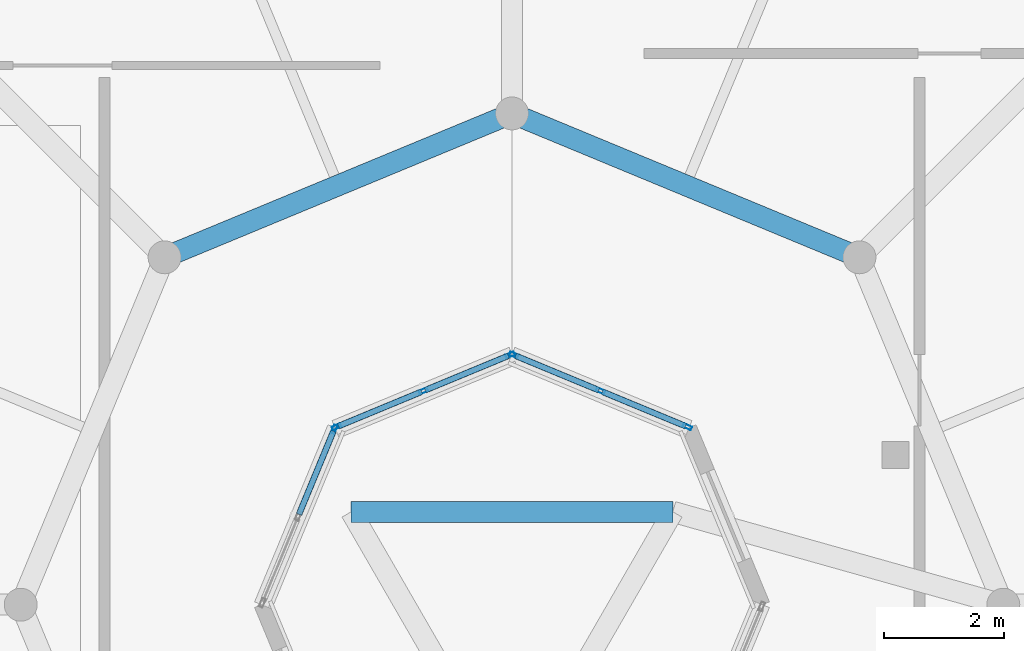
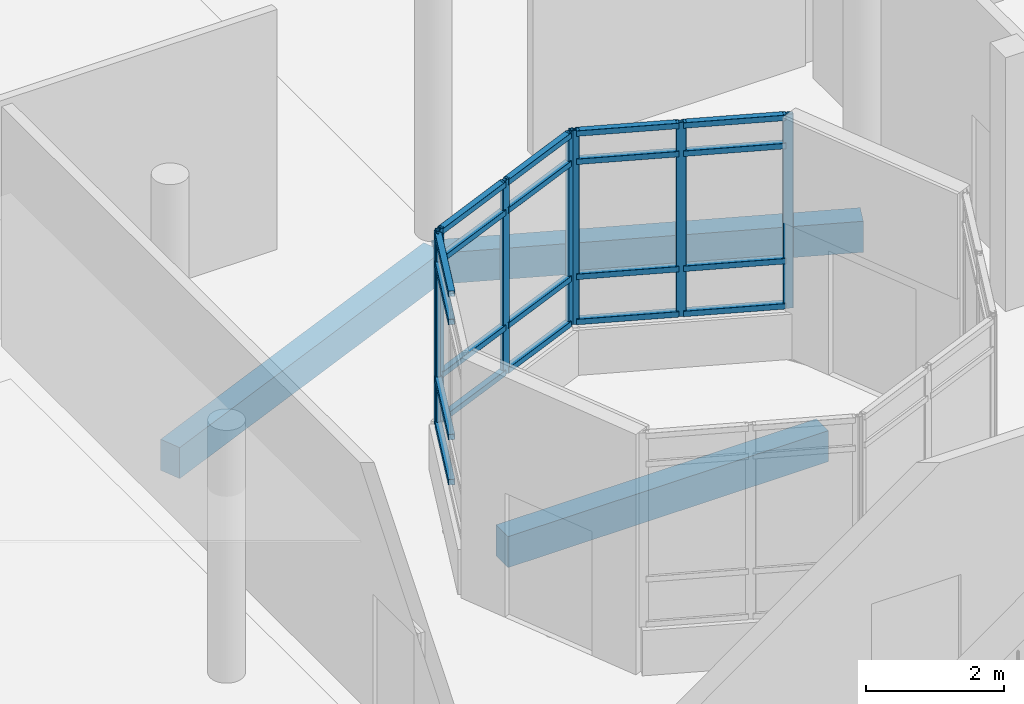
# One storey, part 71 of 129: 27 members, 3 beams, 3 elements without a shape of their own.
"""IFC4 building model written with IfcOpenShell, lengths in metres."""

from ifc_helpers import new_model, si_unit, direction, frame, origin, origin_2d, place, context, subcontext, project, spatial, rectangle, hollow_rectangle, extrude, material, layer, layer_set, material_profile, profile_set, type_object, element, aggregate, save


model = new_model("IFC4")

# Units and contexts
model_context = context("Model", 3, precision=1e-05, world=origin(), true_north=direction((0.0, 1.0)))
body_context = subcontext(model_context, "Body", "Model", "MODEL_VIEW")
ifc_project = project(units=[si_unit("LENGTHUNIT", "METRE"), si_unit("AREAUNIT", "SQUARE_METRE"), si_unit("VOLUMEUNIT", "CUBIC_METRE"), si_unit("PLANEANGLEUNIT", "RADIAN"), si_unit("MASSUNIT", "GRAM", prefix="KILO")], contexts=[model_context])

# Site, building, storey
site_placement = place(None, origin())
site = spatial("IfcSite", under=ifc_project, at=site_placement, CompositionType="ELEMENT")
building_placement = place(site_placement, origin())
building = spatial("IfcBuilding", under=site, at=building_placement, Name="Vespera Passage Community Centre", CompositionType="ELEMENT")
storey_placement = place(building_placement, origin())
storey = spatial("IfcBuildingStorey", under=building, at=storey_placement, Name="L00", CompositionType="ELEMENT", Elevation=0.0)

# Beams
ifc_material_1 = material(Name="Concrete f'c 35 MPa", Category="concrete")
ifc_material_profile_1 = material_profile(ifc_material_1, rectangle(XDim=0.35009765625, YDim=0.550048828125, at=origin_2d()), Name="RC350X550")
ifc_profile_set_1 = profile_set([ifc_material_profile_1], Name="Concrete f'c 35 MPa")
beam_type = type_object("IfcBeamType", Name="BM-J-350X550", PredefinedType="JOIST", material=ifc_profile_set_1)
for number, where, z_axis, x_axis, name in (
    (1, (146.79833984375, 30.79833984375, -0.554931640625), (-0.92388740073, 0.382664436252, 0.0), (-0.382664436252, -0.92388740073, 0.0), "V3 L00 Inner Ring Beam 2"),
    (2, (141.0, 33.199951171875, -0.554931640625), (-0.92388740073, -0.382664436252, 0.0), (0.382664436252, -0.92388740073, 0.0), "V3 L00 Inner Ring Beam 3"),
):
    element("IfcBeam", number, at=place(storey_placement, frame(where, z_axis=z_axis, x_axis=x_axis)), inside=storey, type_object=beam_type, Name=name, PredefinedType="JOIST", context=body_context, shape_type="SweptSolid", body=[
        extrude(rectangle(XDim=0.35009765625, YDim=0.550048828125, at=origin_2d()), origin(), (0.0, 0.0, 1.0), 6.276123046875),
    ])
beam_placement = place(storey_placement, frame((143.684814453125, 26.550048828125, -0.614990234375), z_axis=(-1.0, 0.0, 0.0), x_axis=(0.0, -1.0, 0.0)))
element("IfcBeam", 3, at=beam_placement, inside=storey, type_object=beam_type, Name="V3 Courtyard Paving Ring Beam 1", PredefinedType="JOIST", context=body_context, shape_type="SweptSolid", body=[
    extrude(rectangle(XDim=0.35009765625, YDim=0.550048828125, at=origin_2d()), origin(), (0.0, 0.0, 1.0), 5.36962890625),
])

# Curtain wall, members
ifc_material_2 = material(Name="Anodized aluminium 6063-T6", Category="aluminium")
ifc_layer = layer(ifc_material_2, 0.159912109375)
ifc_layer_set = layer_set([ifc_layer], Name="Anodized aluminium 6063-T6")
curtain_wall_type = type_object("IfcCurtainWallType", Name="CW-104E", PredefinedType="NOTDEFINED", material=ifc_layer_set)
curtain_wall_1_placement = place(storey_placement, origin())
curtain_wall_1 = element("IfcCurtainWall", 4, at=curtain_wall_1_placement, inside=storey, type_object=curtain_wall_type, Name="V3 L00 Inner Court Ribbon Curtain Wall 2", PredefinedType="NOTDEFINED")
ifc_material_3 = material(Name="Anodized aluminium 6063-T6", Category="aluminium")
ifc_material_profile_2 = material_profile(ifc_material_3, hollow_rectangle(XDim=0.06494140625, YDim=0.14990234375, WallThickness=0.00390625, InnerFilletRadius=0.001953125, OuterFilletRadius=0.00390625, at=origin_2d()), Name="ALU150X65X4")
ifc_profile_set_2 = profile_set([ifc_material_profile_2], Name="Anodized aluminium 6063-T6")
member_type_1 = type_object("IfcMemberType", Name="MB-CWM-150E", PredefinedType="MULLION", material=ifc_profile_set_2)
member_1_placement = place(storey_placement, frame((143.92578125, 27.968017578125, 0.800048828125), z_axis=(0.0, 0.0, 1.0), x_axis=(-0.382685826549, -0.923878540804, 0.0)))
member_1 = element("IfcMember", 5, at=member_1_placement, type_object=member_type_1, Name="CW-104E mullion 1", PredefinedType="MULLION", context=body_context, shape_type="SweptSolid", body=[
    extrude(hollow_rectangle(XDim=0.06494140625, YDim=0.14990234375, WallThickness=0.00390625, InnerFilletRadius=0.001953125, OuterFilletRadius=0.00390625, at=origin_2d()), origin(), (0.0, 0.0, 1.0), 3.43994140625),
])
member_2_placement = place(storey_placement, frame((142.477783203125, 28.56787109375, 0.800048828125), z_axis=(0.0, 0.0, 1.0), x_axis=(-0.382685826549, -0.923878540804, 0.0)))
member_2 = element("IfcMember", 6, at=member_2_placement, type_object=member_type_1, Name="CW-104E mullion 2", PredefinedType="MULLION", context=body_context, shape_type="SweptSolid", body=[
    extrude(hollow_rectangle(XDim=0.06494140625, YDim=0.14990234375, WallThickness=0.00390625, InnerFilletRadius=0.001953125, OuterFilletRadius=0.00390625, at=origin_2d()), origin(), (0.0, 0.0, 1.0), 3.43994140625),
])
member_3_placement = place(storey_placement, frame((141.030029296875, 29.16748046875, 0.800048828125), z_axis=(0.0, 0.0, 1.0), x_axis=(-0.382685826549, -0.923878540804, 0.0)))
member_3 = element("IfcMember", 7, at=member_3_placement, type_object=member_type_1, Name="CW-104E mullion 3", PredefinedType="MULLION", context=body_context, shape_type="SweptSolid", body=[
    extrude(hollow_rectangle(XDim=0.06494140625, YDim=0.14990234375, WallThickness=0.00390625, InnerFilletRadius=0.001953125, OuterFilletRadius=0.00390625, at=origin_2d()), origin(), (0.0, 0.0, 1.0), 3.43994140625),
])

curtain_wall_2_placement = place(storey_placement, origin())
curtain_wall_2 = element("IfcCurtainWall", 8, at=curtain_wall_2_placement, inside=storey, type_object=curtain_wall_type, Name="V3 L00 Inner Court Ribbon Curtain Wall 3", PredefinedType="NOTDEFINED")
member_4_placement = place(storey_placement, frame((140.969970703125, 29.16748046875, 0.800048828125), z_axis=(0.0, 0.0, 1.0), x_axis=(0.382685826549, -0.923878540804, 0.0)))
member_4 = element("IfcMember", 9, at=member_4_placement, type_object=member_type_1, Name="CW-104E mullion 1", PredefinedType="MULLION", context=body_context, shape_type="SweptSolid", body=[
    extrude(hollow_rectangle(XDim=0.06494140625, YDim=0.14990234375, WallThickness=0.00390625, InnerFilletRadius=0.001953125, OuterFilletRadius=0.00390625, at=origin_2d()), origin(), (0.0, 0.0, 1.0), 3.43994140625),
])
member_5_placement = place(storey_placement, frame((139.522216796875, 28.56787109375, 0.800048828125), z_axis=(0.0, 0.0, 1.0), x_axis=(0.382685826549, -0.923878540804, 0.0)))
member_5 = element("IfcMember", 10, at=member_5_placement, type_object=member_type_1, Name="CW-104E mullion 2", PredefinedType="MULLION", context=body_context, shape_type="SweptSolid", body=[
    extrude(hollow_rectangle(XDim=0.06494140625, YDim=0.14990234375, WallThickness=0.00390625, InnerFilletRadius=0.001953125, OuterFilletRadius=0.00390625, at=origin_2d()), origin(), (0.0, 0.0, 1.0), 3.43994140625),
])
member_6_placement = place(storey_placement, frame((138.07421875, 27.968017578125, 0.800048828125), z_axis=(0.0, 0.0, 1.0), x_axis=(0.382685826549, -0.923878540804, 0.0)))
member_6 = element("IfcMember", 11, at=member_6_placement, type_object=member_type_1, Name="CW-104E mullion 3", PredefinedType="MULLION", context=body_context, shape_type="SweptSolid", body=[
    extrude(hollow_rectangle(XDim=0.06494140625, YDim=0.14990234375, WallThickness=0.00390625, InnerFilletRadius=0.001953125, OuterFilletRadius=0.00390625, at=origin_2d()), origin(), (0.0, 0.0, 1.0), 3.43994140625),
])

# Curtain wall, member
curtain_wall_3_placement = place(storey_placement, origin())
curtain_wall_3 = element("IfcCurtainWall", 12, at=curtain_wall_3_placement, inside=storey, type_object=curtain_wall_type, Name="V3 L00 Inner Court Ribbon Curtain Wall 4", PredefinedType="NOTDEFINED")
member_7_placement = place(storey_placement, frame((138.031982421875, 27.92578125, 0.800048828125), z_axis=(0.0, 0.0, 1.0), x_axis=(0.923878540804, -0.382685826549, 0.0)))
member_7 = element("IfcMember", 13, at=member_7_placement, type_object=member_type_1, Name="CW-104E mullion 1", PredefinedType="MULLION", context=body_context, shape_type="SweptSolid", body=[
    extrude(hollow_rectangle(XDim=0.06494140625, YDim=0.14990234375, WallThickness=0.00390625, InnerFilletRadius=0.001953125, OuterFilletRadius=0.00390625, at=origin_2d()), origin(), (0.0, 0.0, 1.0), 3.43994140625),
])

# Member
ifc_material_4 = material(Name="Anodized aluminium 6063-T6", Category="aluminium")
ifc_material_profile_3 = material_profile(ifc_material_4, hollow_rectangle(XDim=0.10009765625, YDim=0.10009765625, WallThickness=0.00390625, InnerFilletRadius=0.001953125, OuterFilletRadius=0.00390625, at=origin_2d()), Name="ALU100X100X4")
ifc_profile_set_3 = profile_set([ifc_material_profile_3], Name="Anodized aluminium 6063-T6")
member_type_2 = type_object("IfcMemberType", Name="MB-CWT-100E", PredefinedType="USERDEFINED", material=ifc_profile_set_3)
member_8_placement = place(storey_placement, frame((143.895751953125, 27.98046875, 0.85009765625), z_axis=(-0.923868276622, 0.382710605355, 0.0), x_axis=(-0.382710605355, -0.923868276622, 0.0)))
member_8 = element("IfcMember", 14, at=member_8_placement, type_object=member_type_2, Name="CW-104E transom 1.1", ObjectType="TRANSOM", PredefinedType="USERDEFINED", context=body_context, shape_type="SweptSolid", body=[
    extrude(hollow_rectangle(XDim=0.10009765625, YDim=0.10009765625, WallThickness=0.00390625, InnerFilletRadius=0.001953125, OuterFilletRadius=0.00390625, at=origin_2d()), origin(), (0.0, 0.0, 1.0), 1.502197265625),
])

member_9_placement = place(storey_placement, frame((143.895751953125, 27.98046875, 1.64990234375), z_axis=(-0.923868276622, 0.382710605355, 0.0), x_axis=(-0.382710605355, -0.923868276622, 0.0)))
member_9 = element("IfcMember", 15, at=member_9_placement, type_object=member_type_2, Name="CW-104E transom 1.2", ObjectType="TRANSOM", PredefinedType="USERDEFINED", context=body_context, shape_type="SweptSolid", body=[
    extrude(hollow_rectangle(XDim=0.10009765625, YDim=0.10009765625, WallThickness=0.00390625, InnerFilletRadius=0.001953125, OuterFilletRadius=0.00390625, at=origin_2d()), origin(), (0.0, 0.0, 1.0), 1.502197265625),
])

member_10_placement = place(storey_placement, frame((143.895751953125, 27.98046875, 3.68994140625), z_axis=(-0.923868276622, 0.382710605355, 0.0), x_axis=(-0.382710605355, -0.923868276622, 0.0)))
member_10 = element("IfcMember", 16, at=member_10_placement, type_object=member_type_2, Name="CW-104E transom 1.3", ObjectType="TRANSOM", PredefinedType="USERDEFINED", context=body_context, shape_type="SweptSolid", body=[
    extrude(hollow_rectangle(XDim=0.10009765625, YDim=0.10009765625, WallThickness=0.00390625, InnerFilletRadius=0.001953125, OuterFilletRadius=0.00390625, at=origin_2d()), origin(), (0.0, 0.0, 1.0), 1.502197265625),
])

member_11_placement = place(storey_placement, frame((143.895751953125, 27.98046875, 4.18994140625), z_axis=(-0.923868276622, 0.382710605355, 0.0), x_axis=(-0.382710605355, -0.923868276622, 0.0)))
member_11 = element("IfcMember", 17, at=member_11_placement, type_object=member_type_2, Name="CW-104E transom 1.4", ObjectType="TRANSOM", PredefinedType="USERDEFINED", context=body_context, shape_type="SweptSolid", body=[
    extrude(hollow_rectangle(XDim=0.10009765625, YDim=0.10009765625, WallThickness=0.00390625, InnerFilletRadius=0.001953125, OuterFilletRadius=0.00390625, at=origin_2d()), origin(), (0.0, 0.0, 1.0), 1.502197265625),
])

member_12_placement = place(storey_placement, frame((142.44775390625, 28.580322265625, 0.85009765625), z_axis=(-0.923901937079, 0.382629338474, 0.0), x_axis=(-0.382629338474, -0.923901937079, 0.0)))
member_12 = element("IfcMember", 18, at=member_12_placement, type_object=member_type_2, Name="CW-104E transom 2.1", ObjectType="TRANSOM", PredefinedType="USERDEFINED", context=body_context, shape_type="SweptSolid", body=[
    extrude(hollow_rectangle(XDim=0.10009765625, YDim=0.10009765625, WallThickness=0.00390625, InnerFilletRadius=0.001953125, OuterFilletRadius=0.00390625, at=origin_2d()), origin(), (0.0, 0.0, 1.0), 1.501953125),
])

member_13_placement = place(storey_placement, frame((142.44775390625, 28.580322265625, 1.64990234375), z_axis=(-0.923901937079, 0.382629338474, 0.0), x_axis=(-0.382629338474, -0.923901937079, 0.0)))
member_13 = element("IfcMember", 19, at=member_13_placement, type_object=member_type_2, Name="CW-104E transom 2.2", ObjectType="TRANSOM", PredefinedType="USERDEFINED", context=body_context, shape_type="SweptSolid", body=[
    extrude(hollow_rectangle(XDim=0.10009765625, YDim=0.10009765625, WallThickness=0.00390625, InnerFilletRadius=0.001953125, OuterFilletRadius=0.00390625, at=origin_2d()), origin(), (0.0, 0.0, 1.0), 1.501953125),
])

member_14_placement = place(storey_placement, frame((142.44775390625, 28.580322265625, 3.68994140625), z_axis=(-0.923901937079, 0.382629338474, 0.0), x_axis=(-0.382629338474, -0.923901937079, 0.0)))
member_14 = element("IfcMember", 20, at=member_14_placement, type_object=member_type_2, Name="CW-104E transom 2.3", ObjectType="TRANSOM", PredefinedType="USERDEFINED", context=body_context, shape_type="SweptSolid", body=[
    extrude(hollow_rectangle(XDim=0.10009765625, YDim=0.10009765625, WallThickness=0.00390625, InnerFilletRadius=0.001953125, OuterFilletRadius=0.00390625, at=origin_2d()), origin(), (0.0, 0.0, 1.0), 1.501953125),
])

member_15_placement = place(storey_placement, frame((142.44775390625, 28.580322265625, 4.18994140625), z_axis=(-0.923901937079, 0.382629338474, 0.0), x_axis=(-0.382629338474, -0.923901937079, 0.0)))
member_15 = element("IfcMember", 21, at=member_15_placement, type_object=member_type_2, Name="CW-104E transom 2.4", ObjectType="TRANSOM", PredefinedType="USERDEFINED", context=body_context, shape_type="SweptSolid", body=[
    extrude(hollow_rectangle(XDim=0.10009765625, YDim=0.10009765625, WallThickness=0.00390625, InnerFilletRadius=0.001953125, OuterFilletRadius=0.00390625, at=origin_2d()), origin(), (0.0, 0.0, 1.0), 1.501953125),
])

aggregate(curtain_wall_1, [member_1, member_2, member_3, member_8, member_9, member_10, member_11, member_12, member_13, member_14, member_15])

member_16_placement = place(storey_placement, frame((140.93994140625, 29.155029296875, 0.85009765625), z_axis=(-0.923901937079, -0.382629338474, 0.0), x_axis=(0.382629338474, -0.923901937079, 0.0)))
member_16 = element("IfcMember", 22, at=member_16_placement, type_object=member_type_2, Name="CW-104E transom 1.1", ObjectType="TRANSOM", PredefinedType="USERDEFINED", context=body_context, shape_type="SweptSolid", body=[
    extrude(hollow_rectangle(XDim=0.10009765625, YDim=0.10009765625, WallThickness=0.00390625, InnerFilletRadius=0.001953125, OuterFilletRadius=0.00390625, at=origin_2d()), origin(), (0.0, 0.0, 1.0), 1.501953125),
])

member_17_placement = place(storey_placement, frame((140.93994140625, 29.155029296875, 1.64990234375), z_axis=(-0.923901937079, -0.382629338474, 0.0), x_axis=(0.382629338474, -0.923901937079, 0.0)))
member_17 = element("IfcMember", 23, at=member_17_placement, type_object=member_type_2, Name="CW-104E transom 1.2", ObjectType="TRANSOM", PredefinedType="USERDEFINED", context=body_context, shape_type="SweptSolid", body=[
    extrude(hollow_rectangle(XDim=0.10009765625, YDim=0.10009765625, WallThickness=0.00390625, InnerFilletRadius=0.001953125, OuterFilletRadius=0.00390625, at=origin_2d()), origin(), (0.0, 0.0, 1.0), 1.501953125),
])

member_18_placement = place(storey_placement, frame((140.93994140625, 29.155029296875, 3.68994140625), z_axis=(-0.923901937079, -0.382629338474, 0.0), x_axis=(0.382629338474, -0.923901937079, 0.0)))
member_18 = element("IfcMember", 24, at=member_18_placement, type_object=member_type_2, Name="CW-104E transom 1.3", ObjectType="TRANSOM", PredefinedType="USERDEFINED", context=body_context, shape_type="SweptSolid", body=[
    extrude(hollow_rectangle(XDim=0.10009765625, YDim=0.10009765625, WallThickness=0.00390625, InnerFilletRadius=0.001953125, OuterFilletRadius=0.00390625, at=origin_2d()), origin(), (0.0, 0.0, 1.0), 1.501953125),
])

member_19_placement = place(storey_placement, frame((140.93994140625, 29.155029296875, 4.18994140625), z_axis=(-0.923901937079, -0.382629338474, 0.0), x_axis=(0.382629338474, -0.923901937079, 0.0)))
member_19 = element("IfcMember", 25, at=member_19_placement, type_object=member_type_2, Name="CW-104E transom 1.4", ObjectType="TRANSOM", PredefinedType="USERDEFINED", context=body_context, shape_type="SweptSolid", body=[
    extrude(hollow_rectangle(XDim=0.10009765625, YDim=0.10009765625, WallThickness=0.00390625, InnerFilletRadius=0.001953125, OuterFilletRadius=0.00390625, at=origin_2d()), origin(), (0.0, 0.0, 1.0), 1.501953125),
])

member_20_placement = place(storey_placement, frame((139.4921875, 28.555419921875, 0.85009765625), z_axis=(-0.923868276622, -0.382710605355, 0.0), x_axis=(0.382710605355, -0.923868276622, 0.0)))
member_20 = element("IfcMember", 26, at=member_20_placement, type_object=member_type_2, Name="CW-104E transom 2.1", ObjectType="TRANSOM", PredefinedType="USERDEFINED", context=body_context, shape_type="SweptSolid", body=[
    extrude(hollow_rectangle(XDim=0.10009765625, YDim=0.10009765625, WallThickness=0.00390625, InnerFilletRadius=0.001953125, OuterFilletRadius=0.00390625, at=origin_2d()), origin(), (0.0, 0.0, 1.0), 1.502197265625),
])

member_21_placement = place(storey_placement, frame((139.4921875, 28.555419921875, 1.64990234375), z_axis=(-0.923868276622, -0.382710605355, 0.0), x_axis=(0.382710605355, -0.923868276622, 0.0)))
member_21 = element("IfcMember", 27, at=member_21_placement, type_object=member_type_2, Name="CW-104E transom 2.2", ObjectType="TRANSOM", PredefinedType="USERDEFINED", context=body_context, shape_type="SweptSolid", body=[
    extrude(hollow_rectangle(XDim=0.10009765625, YDim=0.10009765625, WallThickness=0.00390625, InnerFilletRadius=0.001953125, OuterFilletRadius=0.00390625, at=origin_2d()), origin(), (0.0, 0.0, 1.0), 1.502197265625),
])

member_22_placement = place(storey_placement, frame((139.4921875, 28.555419921875, 3.68994140625), z_axis=(-0.923868276622, -0.382710605355, 0.0), x_axis=(0.382710605355, -0.923868276622, 0.0)))
member_22 = element("IfcMember", 28, at=member_22_placement, type_object=member_type_2, Name="CW-104E transom 2.3", ObjectType="TRANSOM", PredefinedType="USERDEFINED", context=body_context, shape_type="SweptSolid", body=[
    extrude(hollow_rectangle(XDim=0.10009765625, YDim=0.10009765625, WallThickness=0.00390625, InnerFilletRadius=0.001953125, OuterFilletRadius=0.00390625, at=origin_2d()), origin(), (0.0, 0.0, 1.0), 1.502197265625),
])

member_23_placement = place(storey_placement, frame((139.4921875, 28.555419921875, 4.18994140625), z_axis=(-0.923868276622, -0.382710605355, 0.0), x_axis=(0.382710605355, -0.923868276622, 0.0)))
member_23 = element("IfcMember", 29, at=member_23_placement, type_object=member_type_2, Name="CW-104E transom 2.4", ObjectType="TRANSOM", PredefinedType="USERDEFINED", context=body_context, shape_type="SweptSolid", body=[
    extrude(hollow_rectangle(XDim=0.10009765625, YDim=0.10009765625, WallThickness=0.00390625, InnerFilletRadius=0.001953125, OuterFilletRadius=0.00390625, at=origin_2d()), origin(), (0.0, 0.0, 1.0), 1.502197265625),
])

aggregate(curtain_wall_2, [member_4, member_5, member_6, member_16, member_17, member_18, member_19, member_20, member_21, member_22, member_23])

member_24_placement = place(storey_placement, frame((138.01953125, 27.895751953125, 0.85009765625), z_axis=(-0.382710605355, -0.923868276622, 0.0), x_axis=(0.923868276622, -0.382710605355, 0.0)))
member_24 = element("IfcMember", 30, at=member_24_placement, type_object=member_type_2, Name="CW-104E transom 1.1", ObjectType="TRANSOM", PredefinedType="USERDEFINED", context=body_context, shape_type="SweptSolid", body=[
    extrude(hollow_rectangle(XDim=0.10009765625, YDim=0.10009765625, WallThickness=0.00390625, InnerFilletRadius=0.001953125, OuterFilletRadius=0.00390625, at=origin_2d()), origin(), (0.0, 0.0, 1.0), 1.502197265625),
])

member_25_placement = place(storey_placement, frame((138.01953125, 27.895751953125, 1.64990234375), z_axis=(-0.382710605355, -0.923868276622, 0.0), x_axis=(0.923868276622, -0.382710605355, 0.0)))
member_25 = element("IfcMember", 31, at=member_25_placement, type_object=member_type_2, Name="CW-104E transom 1.2", ObjectType="TRANSOM", PredefinedType="USERDEFINED", context=body_context, shape_type="SweptSolid", body=[
    extrude(hollow_rectangle(XDim=0.10009765625, YDim=0.10009765625, WallThickness=0.00390625, InnerFilletRadius=0.001953125, OuterFilletRadius=0.00390625, at=origin_2d()), origin(), (0.0, 0.0, 1.0), 1.502197265625),
])

member_26_placement = place(storey_placement, frame((138.01953125, 27.895751953125, 3.68994140625), z_axis=(-0.382710605355, -0.923868276622, 0.0), x_axis=(0.923868276622, -0.382710605355, 0.0)))
member_26 = element("IfcMember", 32, at=member_26_placement, type_object=member_type_2, Name="CW-104E transom 1.3", ObjectType="TRANSOM", PredefinedType="USERDEFINED", context=body_context, shape_type="SweptSolid", body=[
    extrude(hollow_rectangle(XDim=0.10009765625, YDim=0.10009765625, WallThickness=0.00390625, InnerFilletRadius=0.001953125, OuterFilletRadius=0.00390625, at=origin_2d()), origin(), (0.0, 0.0, 1.0), 1.502197265625),
])

member_27_placement = place(storey_placement, frame((138.01953125, 27.895751953125, 4.18994140625), z_axis=(-0.382710605355, -0.923868276622, 0.0), x_axis=(0.923868276622, -0.382710605355, 0.0)))
member_27 = element("IfcMember", 33, at=member_27_placement, type_object=member_type_2, Name="CW-104E transom 1.4", ObjectType="TRANSOM", PredefinedType="USERDEFINED", context=body_context, shape_type="SweptSolid", body=[
    extrude(hollow_rectangle(XDim=0.10009765625, YDim=0.10009765625, WallThickness=0.00390625, InnerFilletRadius=0.001953125, OuterFilletRadius=0.00390625, at=origin_2d()), origin(), (0.0, 0.0, 1.0), 1.502197265625),
])

aggregate(curtain_wall_3, [member_7, member_24, member_25, member_26, member_27])

save(model, "model.ifc")
